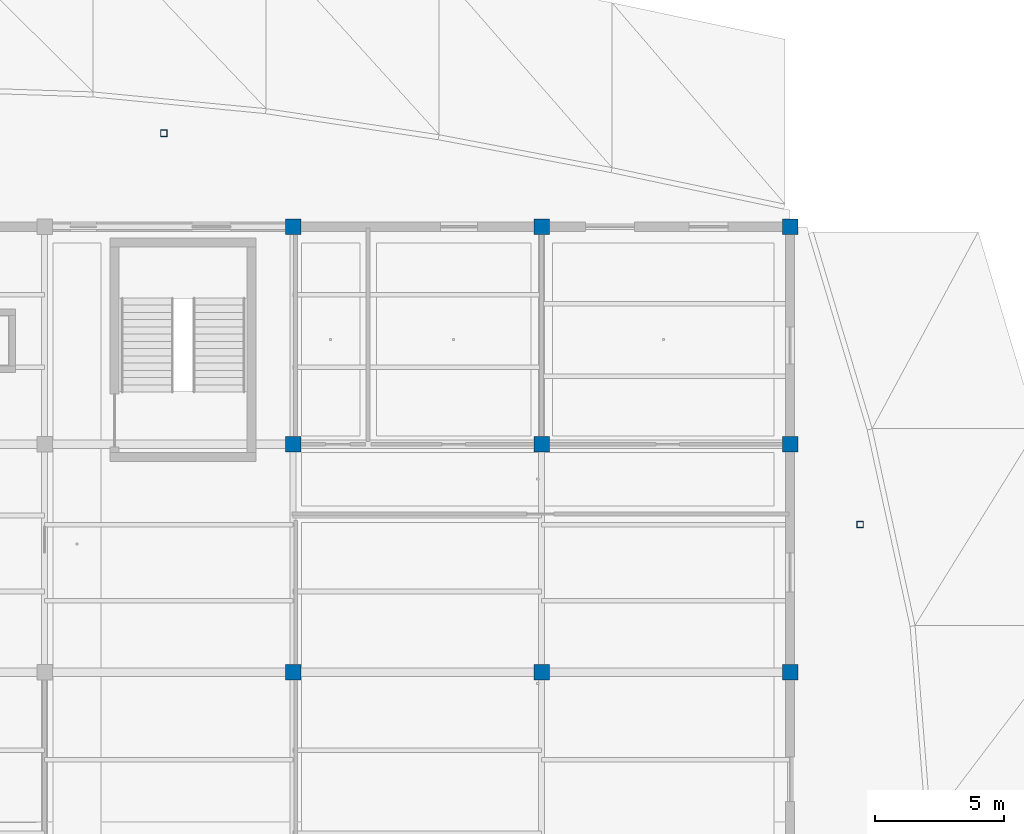
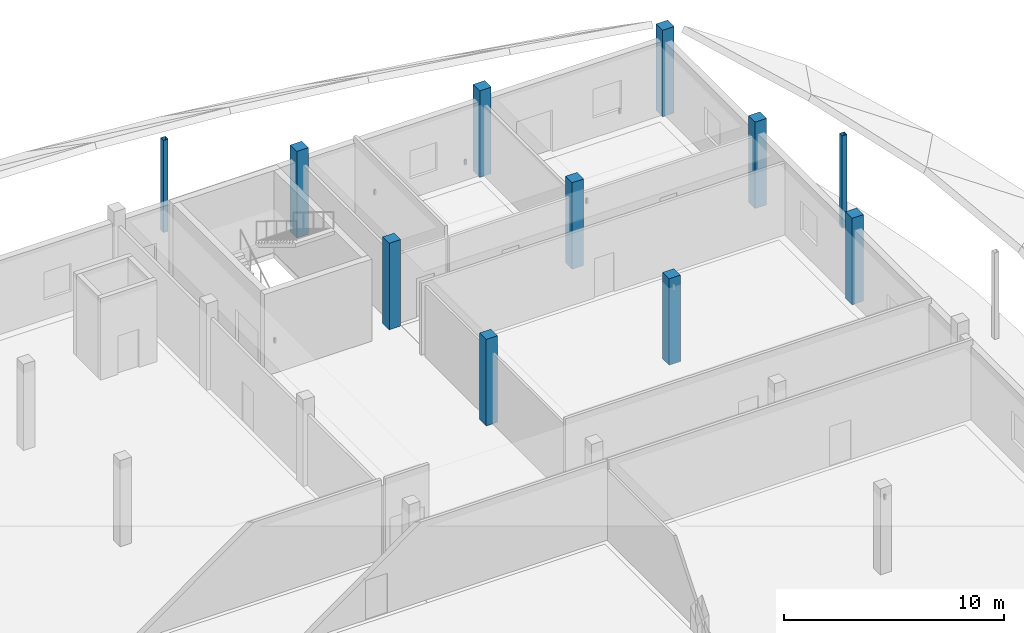
# One storey, part 13 of 116: 11 columns.
"""IFC4 building model written with IfcOpenShell, lengths in metres."""

from ifc_helpers import new_model, si_unit, direction, frame, origin, origin_2d, place, context, subcontext, project, spatial, rectangle, hollow_rectangle, extrude, material, material_profile, profile_set, type_object, element, save


model = new_model("IFC4")

# Units and contexts
model_context = context("Model", 3, precision=1e-05, world=origin(), true_north=direction((0.0, 1.0)))
body_context = subcontext(model_context, "Body", "Model", "MODEL_VIEW")
ifc_project = project(units=[si_unit("LENGTHUNIT", "METRE"), si_unit("AREAUNIT", "SQUARE_METRE"), si_unit("VOLUMEUNIT", "CUBIC_METRE"), si_unit("PLANEANGLEUNIT", "RADIAN"), si_unit("MASSUNIT", "GRAM", prefix="KILO")], contexts=[model_context])

# Site, building, storey
site_placement = place(None, origin())
site = spatial("IfcSite", under=ifc_project, at=site_placement, CompositionType="ELEMENT")
building_placement = place(site_placement, origin())
building = spatial("IfcBuilding", under=site, at=building_placement, Name="Chalmorin Arch Market", CompositionType="ELEMENT")
storey_placement = place(building_placement, origin())
storey = spatial("IfcBuildingStorey", under=building, at=storey_placement, Name="L00", CompositionType="ELEMENT", Elevation=0.0)

# Columns
ifc_material_1 = material(Name="Concrete C40/50", Category="concrete")
ifc_material_profile_1 = material_profile(ifc_material_1, rectangle(XDim=0.60009765625, YDim=0.60009765625, at=origin_2d()), Name="RC600X600")
ifc_profile_set_1 = profile_set([ifc_material_profile_1], Name="Concrete C40/50")
column_type_1 = type_object("IfcColumnType", Name="InteriorConcreteColumn-600x600", PredefinedType="COLUMN", material=ifc_profile_set_1)
for number, where, z_axis, x_axis, name in (
    (1, (96.0, 100.800048828125, 0.0), (0.0, 0.0, 1.0), (1.0, 0.0, 0.0), "C-RC2-516"),
    (2, (96.0, 109.60009765625, 0.0), (0.0, 0.0, 1.0), (1.0, 0.0, 0.0), "C-RC2-521"),
    (3, (96.0, 118.0, 0.0), (0.0, 0.0, 1.0), (1.0, 0.0, 0.0), "C-RC2-526"),
    (4, (105.60009765625, 100.800048828125, 0.0), (0.0, 0.0, 1.0), (1.0, 0.0, 0.0), "C-RC2-571"),
    (5, (105.60009765625, 109.60009765625, 0.0), (0.0, 0.0, 1.0), (1.0, 0.0, 0.0), "C-RC2-576"),
    (6, (105.60009765625, 118.0, 0.0), (0.0, 0.0, 1.0), (1.0, 0.0, 0.0), "C-RC2-581"),
    (7, (115.199951171875, 100.800048828125, 0.0), (0.0, 0.0, 1.0), (1.0, 0.0, 0.0), "C-RC2-626"),
    (8, (115.199951171875, 109.60009765625, 0.0), (0.0, 0.0, 1.0), (1.0, 0.0, 0.0), "C-RC2-631"),
    (9, (115.199951171875, 118.0, 0.0), (0.0, 0.0, 1.0), (1.0, 0.0, 0.0), "C-RC2-636"),
):
    element("IfcColumn", number, at=place(storey_placement, frame(where, z_axis=z_axis, x_axis=x_axis)), inside=storey, type_object=column_type_1, Name=name, PredefinedType="COLUMN", context=body_context, shape_type="SweptSolid", body=[
        extrude(rectangle(XDim=0.60009765625, YDim=0.60009765625, at=origin_2d()), origin(), (0.0, 0.0, 1.0), 4.800048828125),
    ])
ifc_material_2 = material(Name="Steel A500 Grade C", Category="steel")
ifc_material_profile_2 = material_profile(ifc_material_2, hollow_rectangle(XDim=0.25390625, YDim=0.25390625, WallThickness=0.01171875, at=origin_2d()), Name="HSS10X10X1/2")
ifc_profile_set_2 = profile_set([ifc_material_profile_2], Name="Steel A500 Grade C")
column_type_2 = type_object("IfcColumnType", Name="SteelTubeColumn-HSS10X10", PredefinedType="COLUMN", material=ifc_profile_set_2)
for number, where, z_axis, x_axis, name in (
    (10, (91.008056640625, 121.612060546875, -0.320068359375), (0.0, 0.0, 1.0), (1.0, 0.0, 0.0), "C-HS2-728"),
    (11, (117.903076171875, 106.5, -0.320068359375), (0.0, 0.0, 1.0), (1.0, 0.0, 0.0), "C-HS2-744"),
):
    element("IfcColumn", number, at=place(storey_placement, frame(where, z_axis=z_axis, x_axis=x_axis)), inside=storey, type_object=column_type_2, Name=name, PredefinedType="COLUMN", context=body_context, shape_type="SweptSolid", body=[
        extrude(hollow_rectangle(XDim=0.25390625, YDim=0.25390625, WallThickness=0.01171875, at=origin_2d()), origin(), (0.0, 0.0, 1.0), 5.1201171875),
    ])

save(model, "model.ifc")
